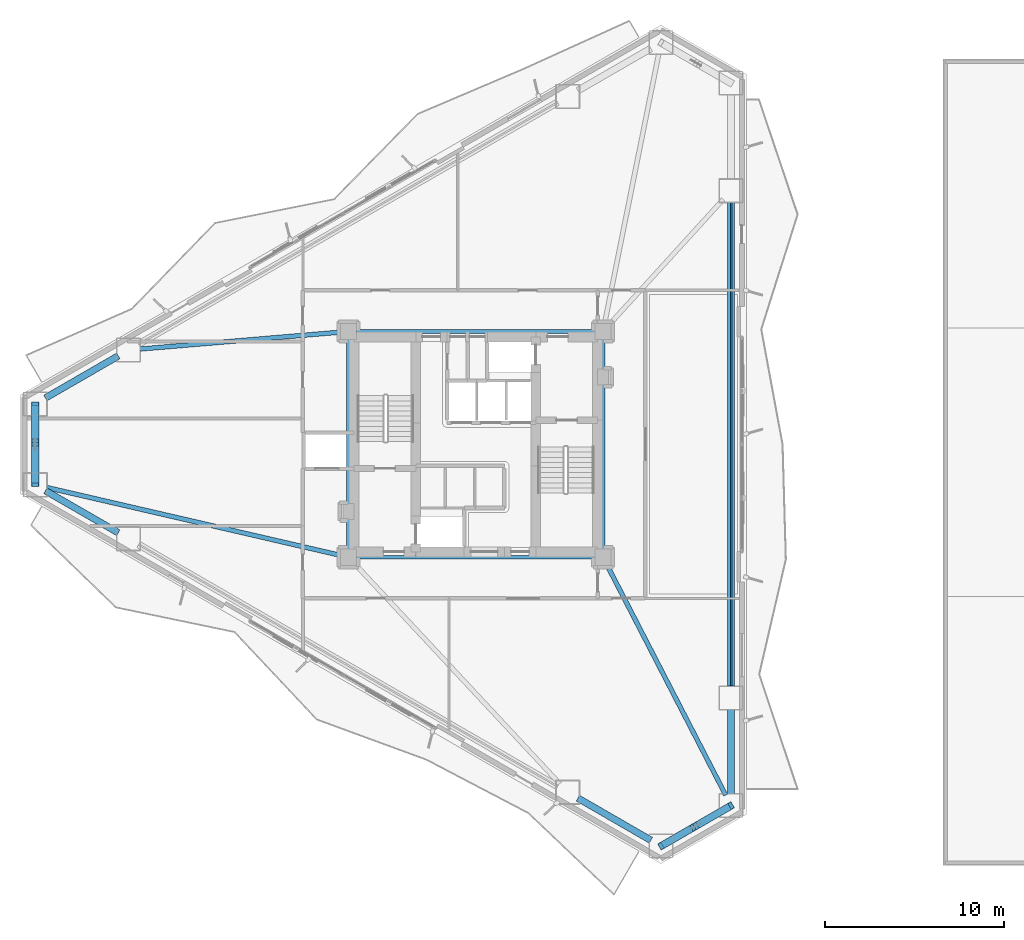
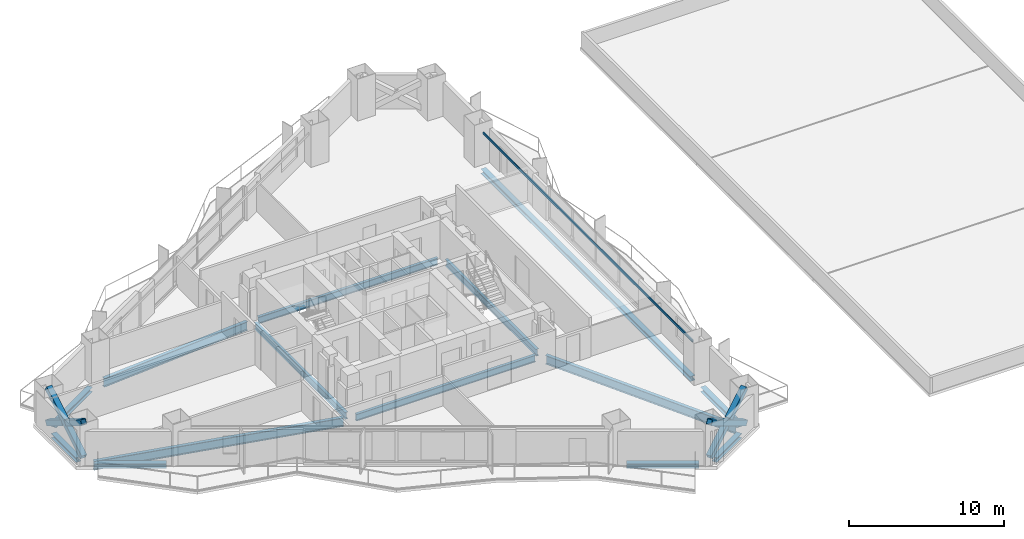
# One storey, part 5 of 16: 15 beams, 6 members.
"""IFC4 building model written with IfcOpenShell, lengths in metres."""

from ifc_helpers import new_model, si_unit, direction, frame, origin, origin_2d, place, context, subcontext, project, spatial, hollow_rectangle, i_section, extrude, material, material_profile, profile_set, type_object, element, save


model = new_model("IFC4")

# Units and contexts
model_context = context("Model", 3, precision=1e-05, world=origin(), true_north=direction((0.0, 1.0)))
body_context = subcontext(model_context, "Body", "Model", "MODEL_VIEW")
ifc_project = project(units=[si_unit("LENGTHUNIT", "METRE"), si_unit("AREAUNIT", "SQUARE_METRE"), si_unit("VOLUMEUNIT", "CUBIC_METRE"), si_unit("PLANEANGLEUNIT", "RADIAN"), si_unit("MASSUNIT", "GRAM", prefix="KILO")], contexts=[model_context])

# Site, building, storey
site_placement = place(None, origin())
site = spatial("IfcSite", under=ifc_project, at=site_placement, CompositionType="ELEMENT")
building_placement = place(site_placement, origin())
building = spatial("IfcBuilding", under=site, at=building_placement, Name="Mersakhor Tower and Convention Hall", CompositionType="ELEMENT")
storey_placement = place(building_placement, frame((0.0, 0.0, 19.199951171875)))
storey = spatial("IfcBuildingStorey", under=building, at=storey_placement, Name="L04", CompositionType="ELEMENT", Elevation=19.199951171875)

# Beams
ifc_material_1 = material(Name="Steel S355", Category="steel")
ifc_material_profile_1 = material_profile(ifc_material_1, i_section(OverallWidth=0.2099609375, OverallDepth=0.53662109375, WebThickness=0.0107421875, FlangeThickness=0.017333984375, at=origin_2d()), Name="UB 533x210x101")
ifc_profile_set_1 = profile_set([ifc_material_profile_1], Name="Steel S355")
beam_type_1 = type_object("IfcBeamType", Name="BM-FB-533", PredefinedType="BEAM", material=ifc_profile_set_1)
beam_1_placement = place(storey_placement, frame((21.89990234375, 20.8798828125, -0.54833984375), z_axis=(0.0, 1.0, 0.0), x_axis=(-1.0, 0.0, 0.0)))
element("IfcBeam", 1, at=beam_1_placement, inside=storey, type_object=beam_type_1, Name="L04 Core Ring Tie Beam CRB-1", PredefinedType="BEAM", context=body_context, shape_type="SweptSolid", body=[
    extrude(i_section(OverallWidth=0.2099609375, OverallDepth=0.53662109375, WebThickness=0.0107421875, FlangeThickness=0.017333984375, at=origin_2d()), origin(), (0.0, 0.0, 1.0), 11.740234375),
])
beam_2_placement = place(storey_placement, frame((22.330078125, 33.050048828125, -0.54833984375), z_axis=(1.0, 0.0, 0.0), x_axis=(0.0, 1.0, 0.0)))
element("IfcBeam", 2, at=beam_2_placement, inside=storey, type_object=beam_type_1, Name="L04 Core Ring Tie Beam CRB-2", PredefinedType="BEAM", context=body_context, shape_type="SweptSolid", body=[
    extrude(i_section(OverallWidth=0.2099609375, OverallDepth=0.53662109375, WebThickness=0.0107421875, FlangeThickness=0.017333984375, at=origin_2d()), origin(), (0.0, 0.0, 1.0), 13.33984375),
])
beam_3_placement = place(storey_placement, frame((36.10009765625, 32.6201171875, -0.54833984375), z_axis=(0.0, -1.0, 0.0), x_axis=(1.0, 0.0, 0.0)))
element("IfcBeam", 3, at=beam_3_placement, inside=storey, type_object=beam_type_1, Name="L04 Core Ring Tie Beam CRB-3", PredefinedType="BEAM", context=body_context, shape_type="SweptSolid", body=[
    extrude(i_section(OverallWidth=0.2099609375, OverallDepth=0.53662109375, WebThickness=0.0107421875, FlangeThickness=0.017333984375, at=origin_2d()), origin(), (0.0, 0.0, 1.0), 11.740234375),
])
beam_4_placement = place(storey_placement, frame((35.669921875, 20.449951171875, -0.54833984375), z_axis=(-1.0, 0.0, 0.0), x_axis=(0.0, -1.0, 0.0)))
element("IfcBeam", 4, at=beam_4_placement, inside=storey, type_object=beam_type_1, Name="L04 Core Ring Tie Beam CRB-4", PredefinedType="BEAM", context=body_context, shape_type="SweptSolid", body=[
    extrude(i_section(OverallWidth=0.2099609375, OverallDepth=0.53662109375, WebThickness=0.0107421875, FlangeThickness=0.017333984375, at=origin_2d()), origin(), (0.0, 0.0, 1.0), 13.33984375),
])
ifc_material_2 = material(Name="Steel S355", Category="steel")
ifc_material_profile_2 = material_profile(ifc_material_2, hollow_rectangle(XDim=0.080078125, YDim=0.179931640625, WallThickness=0.008056640625, at=origin_2d()), Name="RHS 180x80x8")
ifc_profile_set_2 = profile_set([ifc_material_profile_2], Name="Steel S355")
beam_type_2 = type_object("IfcBeamType", Name="BM-GRT-RHS180", PredefinedType="USERDEFINED", material=ifc_profile_set_2)
beam_5_placement = place(storey_placement, frame((43.25, 40.24951171875, 2.47998046875), z_axis=(0.0, -1.0, 0.0), x_axis=(1.0, 0.0, 0.0)))
element("IfcBeam", 5, at=beam_5_placement, inside=storey, type_object=beam_type_2, Name="L04 Facade Support Girt GRT-F2", ObjectType="GIRT", PredefinedType="USERDEFINED", context=body_context, shape_type="SweptSolid", body=[
    extrude(hollow_rectangle(XDim=0.080078125, YDim=0.179931640625, WallThickness=0.008056640625, at=origin_2d()), origin(), (0.0, 0.0, 1.0), 26.9990234375),
])
ifc_material_3 = material(Name="Steel S355", Category="steel")
ifc_material_profile_3 = material_profile(ifc_material_3, i_section(OverallWidth=0.25439453125, OverallDepth=0.6875, WebThickness=0.01318359375, FlangeThickness=0.02099609375, at=origin_2d()), Name="UB 686x254x152")
ifc_profile_set_3 = profile_set([ifc_material_profile_3], Name="Steel S355")
beam_type_3 = type_object("IfcBeamType", Name="BM-PR-686", PredefinedType="BEAM", material=ifc_profile_set_3)
beam_6_placement = place(storey_placement, frame((21.471435546875, 33.013916015625, -0.62353515625), z_axis=(-0.996458345442, -0.084087845732, 0.0), x_axis=(0.084087845732, -0.996458345442, 0.0)))
element("IfcBeam", 6, at=beam_6_placement, inside=storey, type_object=beam_type_3, Name="L04 Primary Floor Girder FG-1", PredefinedType="BEAM", context=body_context, shape_type="SweptSolid", body=[
    extrude(i_section(OverallWidth=0.25439453125, OverallDepth=0.6875, WebThickness=0.01318359375, FlangeThickness=0.02099609375, at=origin_2d()), origin(), (0.0, 0.0, 1.0), 11.241943359375),
])
beam_7_placement = place(storey_placement, frame((36.297119140625, 20.06787109375, -0.62353515625), z_axis=(0.458368239331, -0.888762373851, 0.0), x_axis=(0.888762373851, 0.458368239331, 0.0)))
element("IfcBeam", 7, at=beam_7_placement, inside=storey, type_object=beam_type_3, Name="L04 Primary Floor Girder FG-4", PredefinedType="BEAM", context=body_context, shape_type="SweptSolid", body=[
    extrude(i_section(OverallWidth=0.25439453125, OverallDepth=0.6875, WebThickness=0.01318359375, FlangeThickness=0.02099609375, at=origin_2d()), origin(), (0.0, 0.0, 1.0), 14.513671875),
])
beam_8_placement = place(storey_placement, frame((21.48095703125, 20.546875, -0.62353515625), z_axis=(-0.974327224334, 0.225136536175, 0.0), x_axis=(-0.225136536175, -0.974327224334, 0.0)))
element("IfcBeam", 8, at=beam_8_placement, inside=storey, type_object=beam_type_3, Name="L04 Primary Floor Girder FG-6", PredefinedType="BEAM", context=body_context, shape_type="SweptSolid", body=[
    extrude(i_section(OverallWidth=0.25439453125, OverallDepth=0.6875, WebThickness=0.01318359375, FlangeThickness=0.02099609375, at=origin_2d()), origin(), (0.0, 0.0, 1.0), 16.862548828125),
])
ifc_material_4 = material(Name="Steel S355", Category="steel")
ifc_material_profile_4 = material_profile(ifc_material_4, i_section(OverallWidth=0.374755859375, OverallDepth=0.37451171875, WebThickness=0.0166015625, FlangeThickness=0.027099609375, at=origin_2d()), Name="UC 356x368x202")
ifc_profile_set_4 = profile_set([ifc_material_profile_4], Name="Steel S355")
beam_type_4 = type_object("IfcBeamType", Name="BM-SPD-UC356", PredefinedType="SPANDREL", material=ifc_profile_set_4)
beam_9_placement = place(storey_placement, frame((4.980224609375, 29.3369140625, -0.46728515625), z_axis=(0.86605407247, 0.499950341091, 0.0), x_axis=(-0.499950341091, 0.86605407247, 0.0)))
element("IfcBeam", 9, at=beam_9_placement, inside=storey, type_object=beam_type_4, Name="L04 Perimeter Spandrel Beam SPB-01", PredefinedType="SPANDREL", context=body_context, shape_type="SweptSolid", body=[
    extrude(i_section(OverallWidth=0.374755859375, OverallDepth=0.37451171875, WebThickness=0.0166015625, FlangeThickness=0.027099609375, at=origin_2d()), origin(), (0.0, 0.0, 1.0), 4.69873046875),
])
beam_10_placement = place(storey_placement, frame((43.25, 40.24951171875, -0.46728515625), z_axis=(0.0, -1.0, 0.0), x_axis=(1.0, 0.0, 0.0)))
element("IfcBeam", 10, at=beam_10_placement, inside=storey, type_object=beam_type_4, Name="L04 Perimeter Spandrel Beam SPB-06", PredefinedType="SPANDREL", context=body_context, shape_type="SweptSolid", body=[
    extrude(i_section(OverallWidth=0.374755859375, OverallDepth=0.37451171875, WebThickness=0.0166015625, FlangeThickness=0.027099609375, at=origin_2d()), origin(), (0.0, 0.0, 1.0), 26.9990234375),
])
beam_11_placement = place(storey_placement, frame((43.25, 11.9404296875, -0.46728515625), z_axis=(0.0, -1.0, 0.0), x_axis=(1.0, 0.0, 0.0)))
element("IfcBeam", 11, at=beam_11_placement, inside=storey, type_object=beam_type_4, Name="L04 Perimeter Spandrel Beam SPB-07", PredefinedType="SPANDREL", context=body_context, shape_type="SweptSolid", body=[
    extrude(i_section(OverallWidth=0.374755859375, OverallDepth=0.37451171875, WebThickness=0.0166015625, FlangeThickness=0.027099609375, at=origin_2d()), origin(), (0.0, 0.0, 1.0), 4.69873046875),
])
beam_12_placement = place(storey_placement, frame((42.682861328125, 6.25927734375, -0.46728515625), z_axis=(-0.866038607556, -0.4999771297, 0.0), x_axis=(0.4999771297, -0.866038607556, 0.0)))
element("IfcBeam", 12, at=beam_12_placement, inside=storey, type_object=beam_type_4, Name="L04 Perimeter Spandrel Beam SPB-08", PredefinedType="SPANDREL", context=body_context, shape_type="SweptSolid", body=[
    extrude(i_section(OverallWidth=0.374755859375, OverallDepth=0.37451171875, WebThickness=0.0166015625, FlangeThickness=0.027099609375, at=origin_2d()), origin(), (0.0, 0.0, 1.0), 3.208740234375),
])
for number, where, z_axis, x_axis, name in (
    (13, (38.769775390625, 4.655029296875, -0.46728515625), (-0.866031574723, 0.499989311469, 0.0), (-0.499989311469, -0.866031574723, 0.0), "L04 Perimeter Spandrel Beam SPB-09"),
    (14, (9.049560546875, 21.81396484375, -0.46728515625), (-0.86605407247, 0.499950341091, 0.0), (-0.499950341091, -0.86605407247, 0.0), "L04 Perimeter Spandrel Beam SPB-11"),
):
    element("IfcBeam", number, at=place(storey_placement, frame(where, z_axis=z_axis, x_axis=x_axis)), inside=storey, type_object=beam_type_4, Name=name, PredefinedType="SPANDREL", context=body_context, shape_type="SweptSolid", body=[
        extrude(i_section(OverallWidth=0.374755859375, OverallDepth=0.37451171875, WebThickness=0.0166015625, FlangeThickness=0.027099609375, at=origin_2d()), origin(), (0.0, 0.0, 1.0), 4.69873046875),
    ])
beam_13_placement = place(storey_placement, frame((4.4130859375, 25.145751953125, -0.46728515625), z_axis=(0.0, 1.0, 0.0), x_axis=(-1.0, 0.0, 0.0)))
element("IfcBeam", 15, at=beam_13_placement, inside=storey, type_object=beam_type_4, Name="L04 Perimeter Spandrel Beam SPB-12", PredefinedType="SPANDREL", context=body_context, shape_type="SweptSolid", body=[
    extrude(i_section(OverallWidth=0.374755859375, OverallDepth=0.37451171875, WebThickness=0.0166015625, FlangeThickness=0.027099609375, at=origin_2d()), origin(), (0.0, 0.0, 1.0), 3.20849609375),
])

# Members
ifc_material_5 = material(Name="Steel S460", Category="steel")
ifc_material_profile_5 = material_profile(ifc_material_5, hollow_rectangle(XDim=0.39990234375, YDim=0.39990234375, WallThickness=0.02490234375, at=origin_2d()), Name="SHS 400x400x25")
ifc_profile_set_5 = profile_set([ifc_material_profile_5], Name="Steel S460")
member_type = type_object("IfcMemberType", Name="MB-BRC-SHS400", PredefinedType="BRACE", material=ifc_profile_set_5)
member_1_placement = place(storey_placement, frame((43.25, 6.586669921875, 0.150146484375), z_axis=(-0.740507772322, -0.427542982597, 0.518512523632), x_axis=(0.500009315796, -0.86602002524, 0.0)))
element("IfcMember", 16, at=member_1_placement, inside=storey, type_object=member_type, Name="L04 Chamfer Braced Frame Diagonal CB-2A", PredefinedType="BRACE", context=body_context, shape_type="SweptSolid", body=[
    extrude(hollow_rectangle(XDim=0.39990234375, YDim=0.39990234375, WallThickness=0.02490234375, at=origin_2d()), origin(), (0.0, 0.0, 1.0), 5.284423828125),
])
for number, where, z_axis, x_axis, name in (
    (17, (39.3369140625, 4.327392578125, 0.150146484375), (0.740512106644, 0.427623949895, 0.518439560017), (-0.500078132948, 0.865980289006, 0.0), "L04 Chamfer Braced Frame Diagonal CB-2B Lower Half"),
    (18, (41.46630859375, 5.556884765625, 1.64111328125), (0.740505282886, 0.427518653602, 0.518536138413), (-0.499989236795, 0.866031617834, 0.0), "L04 Chamfer Braced Frame Diagonal CB-2B Upper Half"),
):
    element("IfcMember", number, at=place(storey_placement, frame(where, z_axis=z_axis, x_axis=x_axis)), inside=storey, type_object=member_type, Name=name, PredefinedType="BRACE", context=body_context, shape_type="SweptSolid", body=[
        extrude(hollow_rectangle(XDim=0.39990234375, YDim=0.39990234375, WallThickness=0.02490234375, at=origin_2d()), origin(), (0.0, 0.0, 1.0), 2.40869140625),
    ])
member_2_placement = place(storey_placement, frame((4.4130859375, 24.49072265625, 0.150146484375), z_axis=(0.0, 0.855074317009, 0.51850546033), x_axis=(-1.0, 0.0, 0.0)))
element("IfcMember", 19, at=member_2_placement, inside=storey, type_object=member_type, Name="L04 Chamfer Braced Frame Diagonal CB-3A", PredefinedType="BRACE", context=body_context, shape_type="SweptSolid", body=[
    extrude(hollow_rectangle(XDim=0.39990234375, YDim=0.39990234375, WallThickness=0.02490234375, at=origin_2d()), origin(), (0.0, 0.0, 1.0), 5.284423828125),
])
for number, where, z_axis, x_axis, name in (
    (20, (4.4130859375, 29.00927734375, 0.150146484375), (0.0, -0.855095703444, 0.518470190032), (1.0, 0.0, 0.0), "L04 Chamfer Braced Frame Diagonal CB-3B Lower Half"),
    (21, (4.4130859375, 26.55029296875, 1.64111328125), (0.0, -0.855050764291, 0.518544299444), (1.0, 0.0, 0.0), "L04 Chamfer Braced Frame Diagonal CB-3B Upper Half"),
):
    element("IfcMember", number, at=place(storey_placement, frame(where, z_axis=z_axis, x_axis=x_axis)), inside=storey, type_object=member_type, Name=name, PredefinedType="BRACE", context=body_context, shape_type="SweptSolid", body=[
        extrude(hollow_rectangle(XDim=0.39990234375, YDim=0.39990234375, WallThickness=0.02490234375, at=origin_2d()), origin(), (0.0, 0.0, 1.0), 2.40869140625),
    ])

save(model, "model.ifc")
